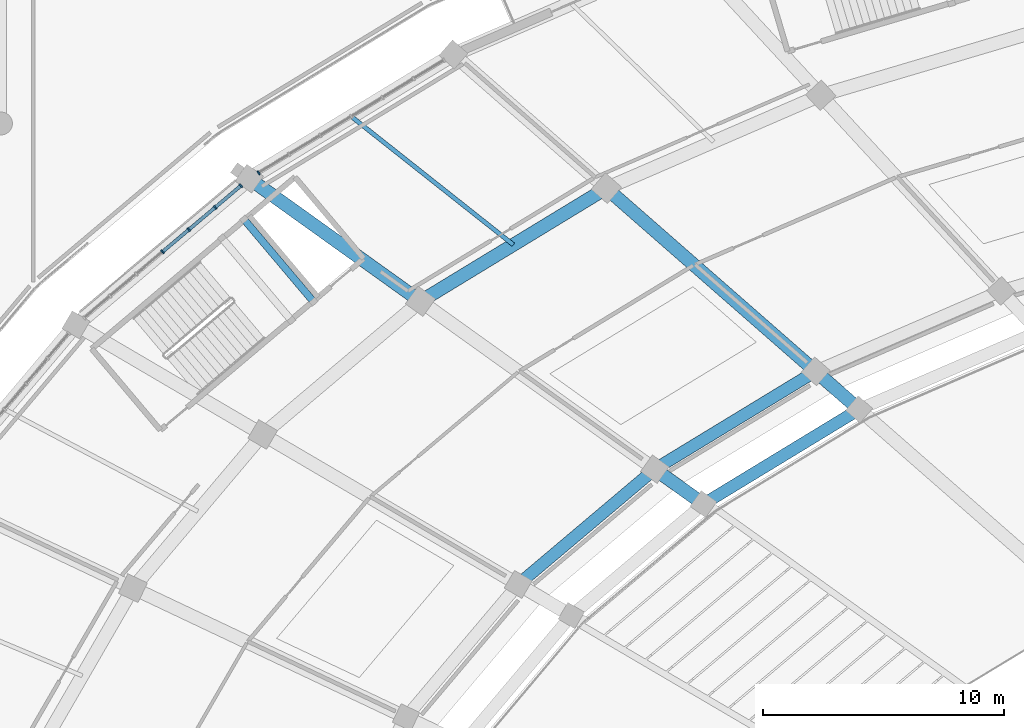
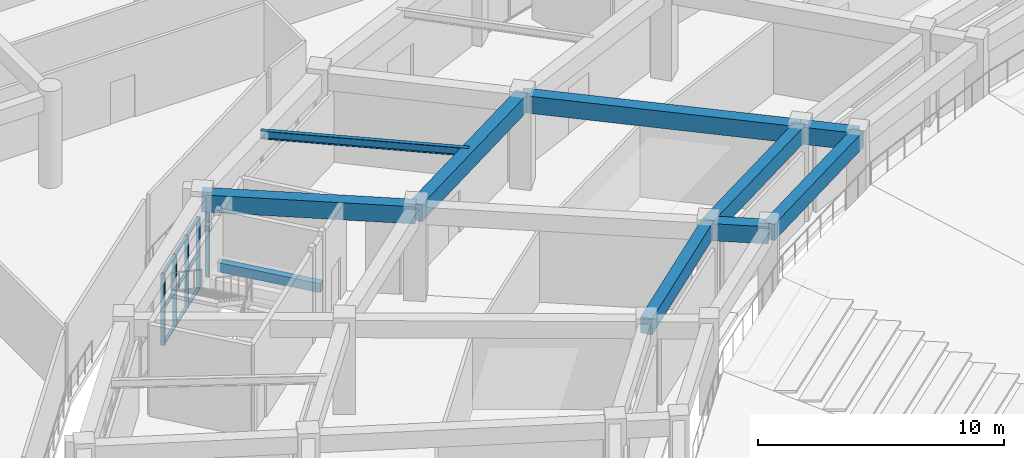
# One storey, part 57 of 152: 14 members, 10 beams, 2 elements without a shape of their own.
"""IFC4 building model written with IfcOpenShell, lengths in metres."""

from ifc_helpers import new_model, si_unit, direction, frame, origin, origin_2d, place, context, subcontext, project, spatial, rectangle, i_section, extrude, material, layer, layer_set, material_profile, profile_set, type_object, element, aggregate, save


model = new_model("IFC4")

# Units and contexts
model_context = context("Model", 3, precision=1e-05, world=origin(), true_north=direction((0.0, 1.0)))
body_context = subcontext(model_context, "Body", "Model", "MODEL_VIEW")
ifc_project = project(units=[si_unit("LENGTHUNIT", "METRE"), si_unit("AREAUNIT", "SQUARE_METRE"), si_unit("VOLUMEUNIT", "CUBIC_METRE"), si_unit("PLANEANGLEUNIT", "RADIAN"), si_unit("MASSUNIT", "GRAM", prefix="KILO")], contexts=[model_context])

# Site, building, storey
site_placement = place(None, origin())
site = spatial("IfcSite", under=ifc_project, at=site_placement, CompositionType="ELEMENT")
building_placement = place(site_placement, origin())
building = spatial("IfcBuilding", under=site, at=building_placement, Name="Mphavela Belvedere Stadium", CompositionType="ELEMENT")
storey_placement = place(building_placement, frame((0.0, 0.0, 5.39990234375)))
storey = spatial("IfcBuildingStorey", under=building, at=storey_placement, Name="L01", CompositionType="ELEMENT", Elevation=5.39990234375)

# Beams
ifc_material_1 = material(Name="Steel S355", Category="steel")
ifc_material_profile_1 = material_profile(ifc_material_1, i_section(OverallWidth=0.179931640625, OverallDepth=0.39990234375, WebThickness=0.008544921875, FlangeThickness=0.013427734375, at=origin_2d()), Name="IPE 400")
ifc_profile_set_1 = profile_set([ifc_material_profile_1], Name="Steel S355")
beam_type_1 = type_object("IfcBeamType", Name="BM-JOIST-IPE400", PredefinedType="JOIST", material=ifc_profile_set_1)
beam_1_placement = place(storey_placement, frame((46.789306640625, 140.97412109375, 4.35009765625), z_axis=(-0.784195537739, 0.620513785979, 0.0), x_axis=(-0.620513785979, -0.784195537739, 0.0)))
element("IfcBeam", 1, at=beam_1_placement, inside=storey, type_object=beam_type_1, Name="Concourse floor joist L01-18", PredefinedType="JOIST", context=body_context, shape_type="SweptSolid", body=[
    extrude(i_section(OverallWidth=0.179931640625, OverallDepth=0.39990234375, WebThickness=0.008544921875, FlangeThickness=0.013427734375, at=origin_2d()), origin(), (0.0, 0.0, 1.0), 8.56298828125),
])
ifc_material_2 = material(Name="Concrete C40/50", Category="concrete")
ifc_material_profile_2 = material_profile(ifc_material_2, rectangle(XDim=0.300048828125, YDim=0.449951171875, at=origin_2d()), Name="RC 300x450")
ifc_profile_set_2 = profile_set([ifc_material_profile_2], Name="Concrete C40/50")
beam_type_2 = type_object("IfcBeamType", Name="BM-RC300x450", PredefinedType="BEAM", material=ifc_profile_set_2)
beam_2_placement = place(storey_placement, frame((38.510009765625, 138.612548828125, 1.97509765625), z_axis=(-0.644915803055, 0.764253627384, 0.0), x_axis=(-0.764253627384, -0.644915803055, 0.0)))
element("IfcBeam", 2, at=beam_2_placement, inside=storey, type_object=beam_type_2, Name="Core C05 landing trimmer beam L01-2", PredefinedType="BEAM", context=body_context, shape_type="SweptSolid", body=[
    extrude(rectangle(XDim=0.300048828125, YDim=0.449951171875, at=origin_2d()), origin(), (0.0, 0.0, 1.0), 4.469970703125),
])
ifc_material_3 = material(Name="Concrete C40/50", Category="concrete")
ifc_material_profile_3 = material_profile(ifc_material_3, rectangle(XDim=0.5, YDim=0.800048828125, at=origin_2d()), Name="RC 500x800")
ifc_profile_set_3 = profile_set([ifc_material_profile_3], Name="Concrete C40/50")
beam_type_3 = type_object("IfcBeamType", Name="BM-RC500x800", PredefinedType="BEAM", material=ifc_profile_set_3)
beam_3_placement = place(storey_placement, frame((61.11083984375, 134.154296875, 4.150146484375), z_axis=(-0.854325951403, -0.51973759606, 0.0), x_axis=(0.51973759606, -0.854325951403, 0.0)))
element("IfcBeam", 3, at=beam_3_placement, inside=storey, type_object=beam_type_3, Name="Circumferential girder L01 R1-18", PredefinedType="BEAM", context=body_context, shape_type="SweptSolid", body=[
    extrude(rectangle(XDim=0.5, YDim=0.800048828125, at=origin_2d()), origin(), (0.0, 0.0, 1.0), 7.5478515625),
])
beam_4_placement = place(storey_placement, frame((59.31005859375, 135.72998046875, 4.150146484375), z_axis=(-0.854328477138, -0.519733444326, 0.0), x_axis=(0.519733444326, -0.854328477138, 0.0)))
element("IfcBeam", 4, at=beam_4_placement, inside=storey, type_object=beam_type_3, Name="Circumferential girder L01 R2-18", PredefinedType="BEAM", context=body_context, shape_type="SweptSolid", body=[
    extrude(rectangle(XDim=0.5, YDim=0.800048828125, at=origin_2d()), origin(), (0.0, 0.0, 1.0), 7.800048828125),
])
beam_5_placement = place(storey_placement, frame((52.646240234375, 131.676025390625, 4.150146484375), z_axis=(-0.764257451296, -0.644911271523, 0.0), x_axis=(0.644911271523, -0.764257451296, 0.0)))
element("IfcBeam", 5, at=beam_5_placement, inside=storey, type_object=beam_type_3, Name="Circumferential girder L01 R2-19", PredefinedType="BEAM", context=body_context, shape_type="SweptSolid", body=[
    extrude(rectangle(XDim=0.5, YDim=0.800048828125, at=origin_2d()), origin(), (0.0, 0.0, 1.0), 7.4033203125),
])
ifc_material_4 = material(Name="Concrete C40/50", Category="concrete")
ifc_material_profile_4 = material_profile(ifc_material_4, rectangle(XDim=0.550048828125, YDim=0.85009765625, at=origin_2d()), Name="RC 550x850")
ifc_profile_set_4 = profile_set([ifc_material_profile_4], Name="Concrete C40/50")
beam_type_4 = type_object("IfcBeamType", Name="BM-RC550x850", PredefinedType="BEAM", material=ifc_profile_set_4)
beam_6_placement = place(storey_placement, frame((50.639892578125, 143.31689453125, 4.125), z_axis=(-0.854315160357, -0.519755333579, 0.0), x_axis=(0.519755333579, -0.854315160357, 0.0)))
element("IfcBeam", 6, at=beam_6_placement, inside=storey, type_object=beam_type_4, Name="Circumferential girder L01 R3-18", PredefinedType="BEAM", context=body_context, shape_type="SweptSolid", body=[
    extrude(rectangle(XDim=0.550048828125, YDim=0.85009765625, at=origin_2d()), origin(), (0.0, 0.0, 1.0), 9.014404296875),
])
beam_7_placement = place(storey_placement, frame((61.11083984375, 134.154296875, 4.125), z_axis=(-0.752576694707, 0.658504607869, 0.0), x_axis=(-0.658504607869, -0.752576694707, 0.0)))
element("IfcBeam", 7, at=beam_7_placement, inside=storey, type_object=beam_type_4, Name="Radial concourse girder L01 R1R2-18", PredefinedType="BEAM", context=body_context, shape_type="SweptSolid", body=[
    extrude(rectangle(XDim=0.550048828125, YDim=0.85009765625, at=origin_2d()), origin(), (0.0, 0.0, 1.0), 2.392822265625),
])
beam_8_placement = place(storey_placement, frame((59.31005859375, 135.72998046875, 4.125), z_axis=(-0.752554378136, 0.658530111648, 0.0), x_axis=(-0.658530111648, -0.752554378136, 0.0)))
element("IfcBeam", 8, at=beam_8_placement, inside=storey, type_object=beam_type_4, Name="Radial concourse girder L01 R2R3-18", PredefinedType="BEAM", context=body_context, shape_type="SweptSolid", body=[
    extrude(rectangle(XDim=0.550048828125, YDim=0.85009765625, at=origin_2d()), origin(), (0.0, 0.0, 1.0), 11.52099609375),
])
beam_9_placement = place(storey_placement, frame((54.66259765625, 130.2314453125, 4.125), z_axis=(-0.81290799415, 0.582392129966, 0.0), x_axis=(-0.582392129966, -0.81290799415, 0.0)))
element("IfcBeam", 9, at=beam_9_placement, inside=storey, type_object=beam_type_4, Name="Radial concourse girder L01 R1R2-19", PredefinedType="BEAM", context=body_context, shape_type="SweptSolid", body=[
    extrude(rectangle(XDim=0.550048828125, YDim=0.85009765625, at=origin_2d()), origin(), (0.0, 0.0, 1.0), 2.48046875),
])
beam_10_placement = place(storey_placement, frame((42.938720703125, 138.631591796875, 4.125), z_axis=(-0.812882024932, 0.582428376319, 0.0), x_axis=(-0.582428376319, -0.812882024932, 0.0)))
element("IfcBeam", 10, at=beam_10_placement, inside=storey, type_object=beam_type_4, Name="Radial concourse girder L01 R3R4-19", PredefinedType="BEAM", context=body_context, shape_type="SweptSolid", body=[
    extrude(rectangle(XDim=0.550048828125, YDim=0.85009765625, at=origin_2d()), origin(), (0.0, 0.0, 1.0), 8.727294921875),
])

# Curtain wall, member
ifc_material_5 = material(Name="Anodised bronze unitised curtain wall framing")
ifc_layer_1 = layer(ifc_material_5, 0.199951171875)
ifc_layer_set_1 = layer_set([ifc_layer_1], Name="Anodised bronze unitised curtain wall framing")
curtain_wall_type_1 = type_object("IfcCurtainWallType", Name="CW-UNIT-05", PredefinedType="USERDEFINED", material=ifc_layer_set_1)
curtain_wall_1_placement = place(storey_placement, origin())
curtain_wall_1 = element("IfcCurtainWall", 11, at=curtain_wall_1_placement, inside=storey, type_object=curtain_wall_type_1, Name="Belvedere colonnade curtain wall L01-18", ObjectType="UNITISED CURTAIN WALL", PredefinedType="USERDEFINED")
ifc_material_6 = material(Name="Anodised bronze extruded aluminium", Category="aluminium")
ifc_material_profile_5 = material_profile(ifc_material_6, rectangle(XDim=0.179931640625, YDim=0.06494140625, at=origin_2d()), Name="CW-MUL 180x65")
ifc_profile_set_5 = profile_set([ifc_material_profile_5], Name="Anodised bronze extruded aluminium")
member_type_1 = type_object("IfcMemberType", Name="CWM-180x65", PredefinedType="MULLION", material=ifc_profile_set_5)
member_1_placement = place(storey_placement, frame((36.233642578125, 143.951171875, 0.0), z_axis=(0.0, 0.0, 1.0), x_axis=(0.51973463728, -0.8543277514, 0.0)))
member_1 = element("IfcMember", 12, at=member_1_placement, type_object=member_type_1, Name="CW-05 mullion 7", PredefinedType="MULLION", context=body_context, shape_type="SweptSolid", body=[
    extrude(rectangle(XDim=0.179931640625, YDim=0.06494140625, at=origin_2d()), origin(), (0.0, 0.0, 1.0), 3.570068359375),
])
aggregate(curtain_wall_1, [member_1])

# Curtain wall, members
ifc_material_7 = material(Name="Anodised bronze unitised curtain wall framing")
ifc_layer_2 = layer(ifc_material_7, 0.205078125)
ifc_layer_set_2 = layer_set([ifc_layer_2], Name="Anodised bronze unitised curtain wall framing")
curtain_wall_type_2 = type_object("IfcCurtainWallType", Name="CW-UNIT-06", PredefinedType="USERDEFINED", material=ifc_layer_set_2)
curtain_wall_2_placement = place(storey_placement, origin())
curtain_wall_2 = element("IfcCurtainWall", 13, at=curtain_wall_2_placement, inside=storey, type_object=curtain_wall_type_2, Name="Belvedere colonnade curtain wall L01-19", ObjectType="UNITISED CURTAIN WALL", PredefinedType="USERDEFINED")
member_2_placement = place(storey_placement, frame((35.496337890625, 143.420654296875, 0.0), z_axis=(0.0, 0.0, 1.0), x_axis=(0.644909572272, -0.76425888519, 0.0)))
member_2 = element("IfcMember", 14, at=member_2_placement, type_object=member_type_1, Name="CW-06 mullion 1", PredefinedType="MULLION", context=body_context, shape_type="SweptSolid", body=[
    extrude(rectangle(XDim=0.179931640625, YDim=0.06494140625, at=origin_2d()), origin(), (0.0, 0.0, 1.0), 3.570068359375),
])
member_3_placement = place(storey_placement, frame((34.431640625, 142.5224609375, 0.0), z_axis=(0.0, 0.0, 1.0), x_axis=(0.644909572272, -0.76425888519, 0.0)))
member_3 = element("IfcMember", 15, at=member_3_placement, type_object=member_type_1, Name="CW-06 mullion 2", PredefinedType="MULLION", context=body_context, shape_type="SweptSolid", body=[
    extrude(rectangle(XDim=0.179931640625, YDim=0.06494140625, at=origin_2d()), origin(), (0.0, 0.0, 1.0), 3.570068359375),
])
member_4_placement = place(storey_placement, frame((33.34228515625, 141.603271484375, 0.0), z_axis=(0.0, 0.0, 1.0), x_axis=(0.644909572272, -0.76425888519, 0.0)))
member_4 = element("IfcMember", 16, at=member_4_placement, type_object=member_type_1, Name="CW-06 mullion 3", PredefinedType="MULLION", context=body_context, shape_type="SweptSolid", body=[
    extrude(rectangle(XDim=0.179931640625, YDim=0.06494140625, at=origin_2d()), origin(), (0.0, 0.0, 1.0), 3.570068359375),
])
member_5_placement = place(storey_placement, frame((32.2529296875, 140.68408203125, 0.0), z_axis=(0.0, 0.0, 1.0), x_axis=(0.644909572272, -0.76425888519, 0.0)))
member_5 = element("IfcMember", 17, at=member_5_placement, type_object=member_type_1, Name="CW-06 mullion 4", PredefinedType="MULLION", context=body_context, shape_type="SweptSolid", body=[
    extrude(rectangle(XDim=0.179931640625, YDim=0.06494140625, at=origin_2d()), origin(), (0.0, 0.0, 1.0), 3.570068359375),
])
ifc_material_8 = material(Name="Anodised bronze extruded aluminium", Category="aluminium")
ifc_material_profile_6 = material_profile(ifc_material_8, rectangle(XDim=0.139892578125, YDim=0.06005859375, at=origin_2d()), Name="CW-TRN 140x60")
ifc_profile_set_6 = profile_set([ifc_material_profile_6], Name="Anodised bronze extruded aluminium")
member_type_2 = type_object("IfcMemberType", Name="CWT-140x60", PredefinedType="USERDEFINED", material=ifc_profile_set_6)
member_6_placement = place(storey_placement, frame((35.471435546875, 143.39990234375, 0.030029296875), z_axis=(-0.764243344003, -0.644927989118, 0.0), x_axis=(0.644927989118, -0.764243344003, 0.0)))
member_6 = element("IfcMember", 18, at=member_6_placement, type_object=member_type_2, Name="CW-06 transom 1.1", ObjectType="TRANSOM", PredefinedType="USERDEFINED", context=body_context, shape_type="SweptSolid", body=[
    extrude(rectangle(XDim=0.139892578125, YDim=0.06005859375, at=origin_2d()), origin(), (0.0, 0.0, 1.0), 1.327880859375),
])
member_7_placement = place(storey_placement, frame((35.471435546875, 143.39990234375, 1.78515625), z_axis=(-0.764243344003, -0.644927989118, 0.0), x_axis=(0.644927989118, -0.764243344003, 0.0)))
member_7 = element("IfcMember", 19, at=member_7_placement, type_object=member_type_2, Name="CW-06 transom 1.2", ObjectType="TRANSOM", PredefinedType="USERDEFINED", context=body_context, shape_type="SweptSolid", body=[
    extrude(rectangle(XDim=0.139892578125, YDim=0.06005859375, at=origin_2d()), origin(), (0.0, 0.0, 1.0), 1.327880859375),
])
member_8_placement = place(storey_placement, frame((35.471435546875, 143.39990234375, 3.5400390625), z_axis=(-0.764243344003, -0.644927989118, 0.0), x_axis=(0.644927989118, -0.764243344003, 0.0)))
member_8 = element("IfcMember", 20, at=member_8_placement, type_object=member_type_2, Name="CW-06 transom 1.3", ObjectType="TRANSOM", PredefinedType="USERDEFINED", context=body_context, shape_type="SweptSolid", body=[
    extrude(rectangle(XDim=0.139892578125, YDim=0.06005859375, at=origin_2d()), origin(), (0.0, 0.0, 1.0), 1.327880859375),
])
member_9_placement = place(storey_placement, frame((34.406982421875, 142.50146484375, 0.030029296875), z_axis=(-0.764338471847, -0.644815245209, 0.0), x_axis=(0.644815245209, -0.764338471847, 0.0)))
member_9 = element("IfcMember", 21, at=member_9_placement, type_object=member_type_2, Name="CW-06 transom 2.1", ObjectType="TRANSOM", PredefinedType="USERDEFINED", context=body_context, shape_type="SweptSolid", body=[
    extrude(rectangle(XDim=0.139892578125, YDim=0.06005859375, at=origin_2d()), origin(), (0.0, 0.0, 1.0), 1.3603515625),
])
member_10_placement = place(storey_placement, frame((34.406982421875, 142.50146484375, 1.78515625), z_axis=(-0.764338471847, -0.644815245209, 0.0), x_axis=(0.644815245209, -0.764338471847, 0.0)))
member_10 = element("IfcMember", 22, at=member_10_placement, type_object=member_type_2, Name="CW-06 transom 2.2", ObjectType="TRANSOM", PredefinedType="USERDEFINED", context=body_context, shape_type="SweptSolid", body=[
    extrude(rectangle(XDim=0.139892578125, YDim=0.06005859375, at=origin_2d()), origin(), (0.0, 0.0, 1.0), 1.3603515625),
])
member_11_placement = place(storey_placement, frame((34.406982421875, 142.50146484375, 3.5400390625), z_axis=(-0.764338471847, -0.644815245209, 0.0), x_axis=(0.644815245209, -0.764338471847, 0.0)))
member_11 = element("IfcMember", 23, at=member_11_placement, type_object=member_type_2, Name="CW-06 transom 2.3", ObjectType="TRANSOM", PredefinedType="USERDEFINED", context=body_context, shape_type="SweptSolid", body=[
    extrude(rectangle(XDim=0.139892578125, YDim=0.06005859375, at=origin_2d()), origin(), (0.0, 0.0, 1.0), 1.3603515625),
])
member_12_placement = place(storey_placement, frame((33.317626953125, 141.582275390625, 0.030029296875), z_axis=(-0.764338471847, -0.644815245209, 0.0), x_axis=(0.644815245209, -0.764338471847, 0.0)))
member_12 = element("IfcMember", 24, at=member_12_placement, type_object=member_type_2, Name="CW-06 transom 3.1", ObjectType="TRANSOM", PredefinedType="USERDEFINED", context=body_context, shape_type="SweptSolid", body=[
    extrude(rectangle(XDim=0.139892578125, YDim=0.06005859375, at=origin_2d()), origin(), (0.0, 0.0, 1.0), 1.3603515625),
])
member_13_placement = place(storey_placement, frame((33.317626953125, 141.582275390625, 1.78515625), z_axis=(-0.764338471847, -0.644815245209, 0.0), x_axis=(0.644815245209, -0.764338471847, 0.0)))
member_13 = element("IfcMember", 25, at=member_13_placement, type_object=member_type_2, Name="CW-06 transom 3.2", ObjectType="TRANSOM", PredefinedType="USERDEFINED", context=body_context, shape_type="SweptSolid", body=[
    extrude(rectangle(XDim=0.139892578125, YDim=0.06005859375, at=origin_2d()), origin(), (0.0, 0.0, 1.0), 1.3603515625),
])
member_14_placement = place(storey_placement, frame((33.317626953125, 141.582275390625, 3.5400390625), z_axis=(-0.764338471847, -0.644815245209, 0.0), x_axis=(0.644815245209, -0.764338471847, 0.0)))
member_14 = element("IfcMember", 26, at=member_14_placement, type_object=member_type_2, Name="CW-06 transom 3.3", ObjectType="TRANSOM", PredefinedType="USERDEFINED", context=body_context, shape_type="SweptSolid", body=[
    extrude(rectangle(XDim=0.139892578125, YDim=0.06005859375, at=origin_2d()), origin(), (0.0, 0.0, 1.0), 1.3603515625),
])
aggregate(curtain_wall_2, [member_2, member_3, member_4, member_5, member_6, member_7, member_8, member_9, member_10, member_11, member_12, member_13, member_14])

save(model, "model.ifc")
